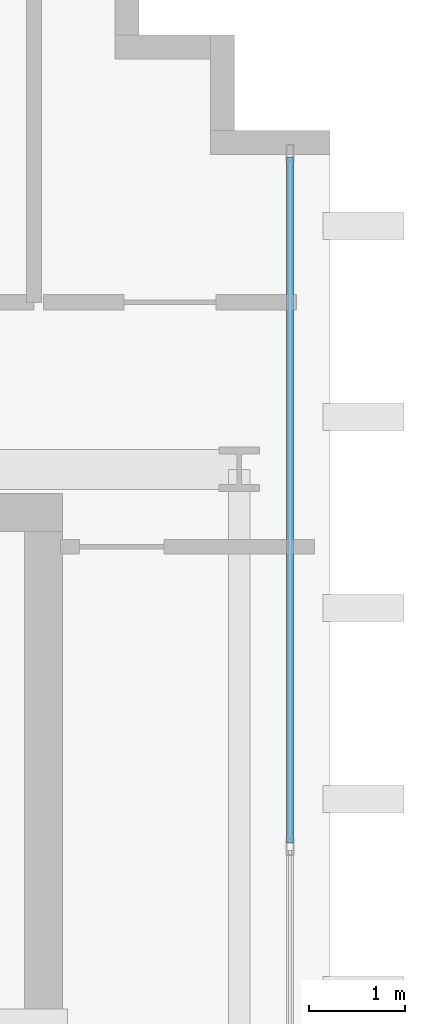
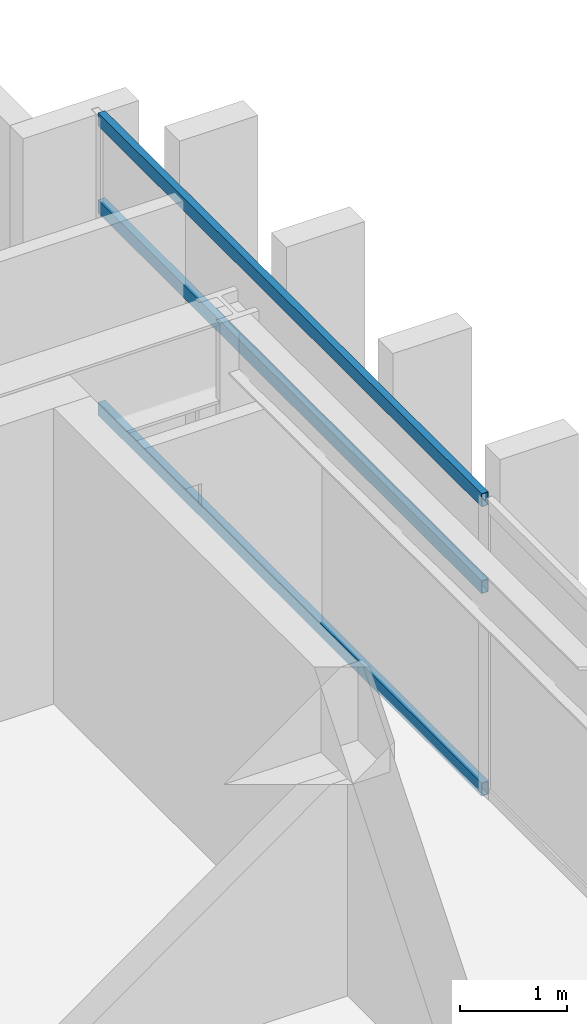
# One storey, part 15 of 25: 3 members, 1 element without a shape of its own.
"""IFC4 building model written with IfcOpenShell, lengths in metres."""

from ifc_helpers import new_model, si_unit, direction, frame, origin, origin_2d, place, context, subcontext, project, spatial, hollow_rectangle, extrude, source, transform, mapped, material, layer, layer_set, material_profile, profile_set, type_object, element, aggregate, save


model = new_model("IFC4")

# Units and contexts
model_context = context("Model", 3, precision=1e-05, world=origin(), true_north=direction((0.0, 1.0)))
body_context = subcontext(model_context, "Body", "Model", "MODEL_VIEW")
ifc_project = project(units=[si_unit("LENGTHUNIT", "METRE"), si_unit("AREAUNIT", "SQUARE_METRE"), si_unit("VOLUMEUNIT", "CUBIC_METRE"), si_unit("PLANEANGLEUNIT", "RADIAN"), si_unit("MASSUNIT", "GRAM", prefix="KILO")], contexts=[model_context])

# Site, building, storey
site_placement = place(None, origin())
site = spatial("IfcSite", under=ifc_project, at=site_placement, CompositionType="ELEMENT")
building_placement = place(site_placement, origin())
building = spatial("IfcBuilding", under=site, at=building_placement, Name="Ocotamira Hotel", CompositionType="ELEMENT")
storey_placement = place(building_placement, frame((0.0, 0.0, 250.800048828125)))
storey = spatial("IfcBuildingStorey", under=building, at=storey_placement, Name="L63", CompositionType="ELEMENT", Elevation=250.800048828125)

# Curtain wall, members
ifc_material_1 = material(Name="Anodised pale-metal aluminium and solar glass", Category="aluminium")
ifc_layer = layer(ifc_material_1, 0.2099609375)
ifc_layer_set = layer_set([ifc_layer], Name="Anodised pale-metal aluminium and solar glass")
curtain_wall_type = type_object("IfcCurtainWallType", Name="CW-SYS7-PEAK", PredefinedType="NOTDEFINED", material=ifc_layer_set)
curtain_wall_placement = place(storey_placement, origin())
curtain_wall = element("IfcCurtainWall", 1, at=curtain_wall_placement, inside=storey, type_object=curtain_wall_type, Name="L63 Curtain Wall CW-7 CW-L63-EO2", PredefinedType="NOTDEFINED")
ifc_material_2 = material(Name="Anodised pale-metal aluminium 6063-T6", Category="aluminium")
ifc_material_profile = material_profile(ifc_material_2, hollow_rectangle(XDim=0.074951171875, YDim=0.14990234375, WallThickness=0.006103515625, at=origin_2d()), Name="HSS150X75X6")
ifc_profile_set = profile_set([ifc_material_profile], Name="Anodised pale-metal aluminium 6063-T6")
member_type = type_object("IfcMemberType", Name="CWT-150X75", PredefinedType="USERDEFINED", material=ifc_profile_set)
shared_shape = source(origin(), body_context, "Body", "SweptSolid", [
    extrude(hollow_rectangle(XDim=0.074951171875, YDim=0.14990234375, WallThickness=0.006103515625, at=origin_2d()), origin(), (0.0, 0.0, 1.0), 7.179931640625),
])
member_1_placement = place(storey_placement, frame((55.580078125, 33.5400390625, 0.037353515625), z_axis=(0.0, 1.0, 0.0), x_axis=(-1.0, 0.0, 0.0)))
member_1 = element("IfcMember", 2, at=member_1_placement, type_object=member_type, Name="CW-7 transom 2.1", ObjectType="TRANSOM", PredefinedType="USERDEFINED", context=body_context, shape_type="MappedRepresentation", body=[
    mapped(shared_shape, transform((0.0, 0.0, 0.0), scale=1.0)),
])
member_2_placement = place(storey_placement, frame((55.580078125, 33.5400390625, 2.349853515625), z_axis=(0.0, 1.0, 0.0), x_axis=(-1.0, 0.0, 0.0)))
member_2 = element("IfcMember", 3, at=member_2_placement, type_object=member_type, Name="CW-7 transom 2.2", ObjectType="TRANSOM", PredefinedType="USERDEFINED", context=body_context, shape_type="MappedRepresentation", body=[
    mapped(shared_shape, transform((0.0, 0.0, 0.0), scale=1.0)),
])
member_3_placement = place(storey_placement, frame((55.580078125, 33.5400390625, 3.342529296875), z_axis=(0.0, 1.0, 0.0), x_axis=(-1.0, 0.0, 0.0)))
member_3 = element("IfcMember", 4, at=member_3_placement, type_object=member_type, Name="CW-7 transom 2.3", ObjectType="TRANSOM", PredefinedType="USERDEFINED", context=body_context, shape_type="MappedRepresentation", body=[
    mapped(shared_shape, transform((0.0, 0.0, 0.0), scale=1.0)),
])
aggregate(curtain_wall, [member_1, member_2, member_3])

save(model, "model.ifc")
